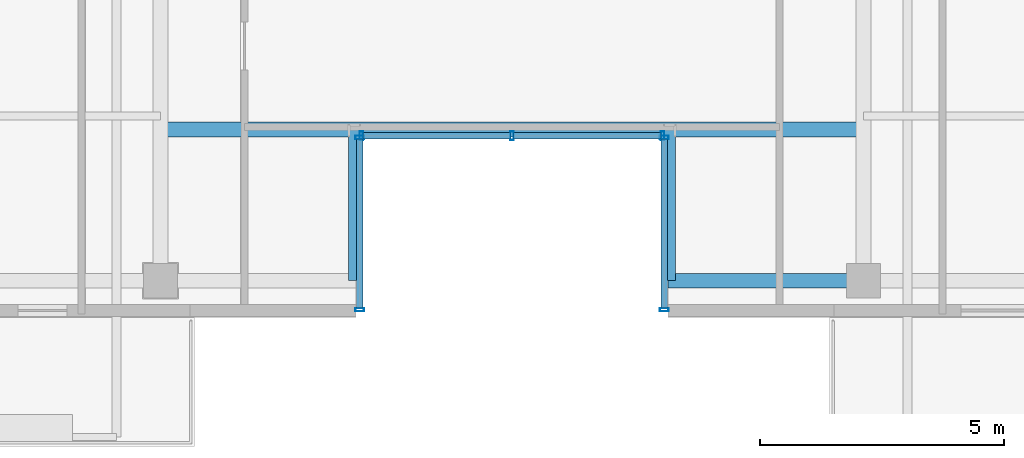
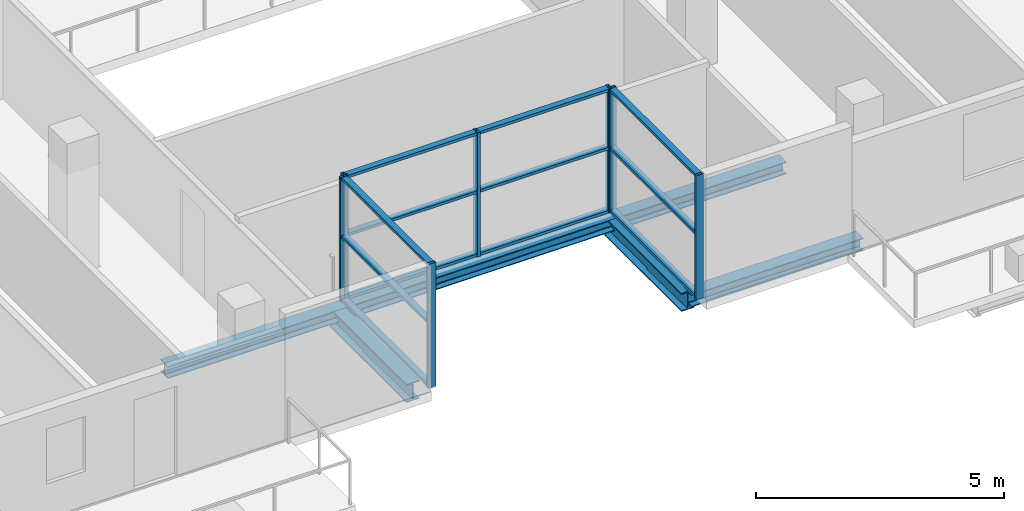
# One storey, part 5 of 22: 19 members, 4 beams, 3 elements without a shape of their own.
"""IFC4 building model written with IfcOpenShell, lengths in metres."""

from ifc_helpers import new_model, si_unit, direction, frame, origin, origin_2d, place, context, subcontext, project, spatial, hollow_rectangle, i_section, extrude, source, transform, mapped, material, layer, layer_set, material_profile, profile_set, type_object, element, aggregate, save


model = new_model("IFC4")

# Units and contexts
model_context = context("Model", 3, precision=1e-05, world=origin(), true_north=direction((0.0, 1.0)))
body_context = subcontext(model_context, "Body", "Model", "MODEL_VIEW")
ifc_project = project(units=[si_unit("LENGTHUNIT", "METRE"), si_unit("AREAUNIT", "SQUARE_METRE"), si_unit("VOLUMEUNIT", "CUBIC_METRE"), si_unit("PLANEANGLEUNIT", "RADIAN"), si_unit("MASSUNIT", "GRAM", prefix="KILO")], contexts=[model_context])

# Site, building, storey
site_placement = place(None, origin())
site = spatial("IfcSite", under=ifc_project, at=site_placement, CompositionType="ELEMENT")
building_placement = place(site_placement, origin())
building = spatial("IfcBuilding", under=site, at=building_placement, Name="Zarnakvel Exchange Tower", CompositionType="ELEMENT")
storey_placement = place(building_placement, frame((0.0, 0.0, 238.60009765625)))
storey = spatial("IfcBuildingStorey", under=building, at=storey_placement, Name="L67", CompositionType="ELEMENT", Elevation=238.60009765625)

# Beams
ifc_material_1 = material(Name="Steel S355", Category="steel")
ifc_material_profile_1 = material_profile(ifc_material_1, i_section(OverallWidth=0.300048828125, OverallDepth=0.449951171875, WebThickness=0.013916015625, FlangeThickness=0.02587890625, FilletRadius=0.027099609375, at=origin_2d()))
ifc_profile_set_1 = profile_set([ifc_material_profile_1], Name="Steel S355")
beam_type_1 = type_object("IfcBeamType", Name="G-07", PredefinedType="BEAM", material=ifc_profile_set_1)
for number, where, z_axis, x_axis, name in (
    (1, (-3.199951171875, -16.35009765625, -0.4501953125), (0.0, 1.0, 0.0), (-1.0, 0.0, 0.0), "L67 South Slot West Cheek Beam"),
    (2, (3.199951171875, -16.35009765625, -0.4501953125), (0.0, 1.0, 0.0), (-1.0, 0.0, 0.0), "L67 South Slot East Cheek Beam"),
):
    element("IfcBeam", number, at=place(storey_placement, frame(where, z_axis=z_axis, x_axis=x_axis)), inside=storey, type_object=beam_type_1, Name=name, PredefinedType="BEAM", context=body_context, shape_type="SweptSolid", body=[
        extrude(i_section(OverallWidth=0.300048828125, OverallDepth=0.449951171875, WebThickness=0.013916015625, FlangeThickness=0.02587890625, FilletRadius=0.027099609375, at=origin_2d()), origin(), (0.0, 0.0, 1.0), 3.10009765625),
    ])
ifc_material_profile_2 = material_profile(ifc_material_1, i_section(OverallWidth=0.300048828125, OverallDepth=0.300048828125, WebThickness=0.010986328125, FlangeThickness=0.01904296875, FilletRadius=0.027099609375, at=origin_2d()))
ifc_profile_set_2 = profile_set([ifc_material_profile_2], Name="Steel S355")
beam_type_2 = type_object("IfcBeamType", Name="SP-03", PredefinedType="SPANDREL", material=ifc_profile_set_2)
beam_1_placement = place(storey_placement, frame((3.199951171875, -16.35009765625, -0.375), z_axis=(1.0, 0.0, 0.0), x_axis=(0.0, 1.0, 0.0)))
element("IfcBeam", 3, at=beam_1_placement, inside=storey, type_object=beam_type_2, Name="L67 South Slot East Jamb Spandrel", PredefinedType="SPANDREL", context=body_context, shape_type="SweptSolid", body=[
    extrude(i_section(OverallWidth=0.300048828125, OverallDepth=0.300048828125, WebThickness=0.010986328125, FlangeThickness=0.01904296875, FilletRadius=0.027099609375, at=origin_2d()), origin(), (0.0, 0.0, 1.0), 4.0),
])
beam_2_placement = place(storey_placement, frame((-7.199951171875, -13.25, -0.375), z_axis=(1.0, 0.0, 0.0), x_axis=(0.0, 1.0, 0.0)))
element("IfcBeam", 4, at=beam_2_placement, inside=storey, type_object=beam_type_2, Name="L67 South Slot Head Trimmer Girder", PredefinedType="SPANDREL", context=body_context, shape_type="SweptSolid", body=[
    extrude(i_section(OverallWidth=0.300048828125, OverallDepth=0.300048828125, WebThickness=0.010986328125, FlangeThickness=0.01904296875, FilletRadius=0.027099609375, at=origin_2d()), origin(), (0.0, 0.0, 1.0), 14.39990234375),
])

# Curtain wall, members
ifc_material_2 = material(Name="Architectural Bronze Anodised Aluminium", Category="aluminium")
ifc_layer = layer(ifc_material_2, 0.179931640625)
ifc_layer_set = layer_set([ifc_layer], Name="Architectural Bronze Anodised Aluminium")
curtain_wall_type = type_object("IfcCurtainWallType", Name="CW-05", PredefinedType="NOTDEFINED", material=ifc_layer_set)
curtain_wall_1_placement = place(storey_placement, origin())
curtain_wall_1 = element("IfcCurtainWall", 5, at=curtain_wall_1_placement, inside=storey, type_object=curtain_wall_type, Name="L67 Curtain Wall CW-L67-SLW (CW-05)", PredefinedType="NOTDEFINED")
ifc_material_profile_3 = material_profile(ifc_material_2, hollow_rectangle(XDim=0.139892578125, YDim=0.070068359375, WallThickness=0.00390625, at=origin_2d()))
ifc_profile_set_3 = profile_set([ifc_material_profile_3], Name="Architectural Bronze Anodised Aluminium")
member_type_1 = type_object("IfcMemberType", Name="CWT-05", PredefinedType="USERDEFINED", material=ifc_profile_set_3)
shared_shape_1 = source(origin(), body_context, "Body", "SweptSolid", [
    extrude(hollow_rectangle(XDim=0.139892578125, YDim=0.070068359375, WallThickness=0.00390625, at=origin_2d()), origin(), (0.0, 0.0, 1.0), 3.4599609375),
])
member_1_placement = place(storey_placement, frame((-3.1201171875, -16.909912109375, 0.034912109375), z_axis=(0.0, 1.0, 0.0), x_axis=(-1.0, 0.0, 0.0)))
member_1 = element("IfcMember", 6, at=member_1_placement, type_object=member_type_1, Name="CW-05 transom 1.1", ObjectType="TRANSOM", PredefinedType="USERDEFINED", context=body_context, shape_type="MappedRepresentation", body=[
    mapped(shared_shape_1, transform((0.0, 0.0, 0.0), x_axis=(1.0, 0.0, 0.0), y_axis=(0.0, 1.0, 0.0), z_axis=(0.0, 0.0, 1.0), scale=1.0)),
])
member_2_placement = place(storey_placement, frame((-3.1201171875, -16.909912109375, 1.588623046875), z_axis=(0.0, 1.0, 0.0), x_axis=(-1.0, 0.0, 0.0)))
member_2 = element("IfcMember", 7, at=member_2_placement, type_object=member_type_1, Name="CW-05 transom 1.2", ObjectType="TRANSOM", PredefinedType="USERDEFINED", context=body_context, shape_type="MappedRepresentation", body=[
    mapped(shared_shape_1, transform((0.0, 0.0, 0.0), x_axis=(1.0, 0.0, 0.0), y_axis=(0.0, 1.0, 0.0), z_axis=(0.0, 0.0, 1.0), scale=1.0)),
])
member_3_placement = place(storey_placement, frame((-3.1201171875, -16.909912109375, 3.02001953125), z_axis=(0.0, 1.0, 0.0), x_axis=(-1.0, 0.0, 0.0)))
member_3 = element("IfcMember", 8, at=member_3_placement, type_object=member_type_1, Name="CW-05 transom 1.3", ObjectType="TRANSOM", PredefinedType="USERDEFINED", context=body_context, shape_type="MappedRepresentation", body=[
    mapped(shared_shape_1, transform((0.0, 0.0, 0.0), x_axis=(1.0, 0.0, 0.0), y_axis=(0.0, 1.0, 0.0), z_axis=(0.0, 0.0, 1.0), scale=1.0)),
])

curtain_wall_2_placement = place(storey_placement, origin())
curtain_wall_2 = element("IfcCurtainWall", 9, at=curtain_wall_2_placement, inside=storey, type_object=curtain_wall_type, Name="L67 Curtain Wall CW-L67-SLE (CW-05)", PredefinedType="NOTDEFINED")
member_4_placement = place(storey_placement, frame((3.1201171875, -13.449951171875, 0.034912109375), z_axis=(0.0, -1.0, 0.0), x_axis=(1.0, 0.0, 0.0)))
member_4 = element("IfcMember", 10, at=member_4_placement, type_object=member_type_1, Name="CW-05 transom 1.1", ObjectType="TRANSOM", PredefinedType="USERDEFINED", context=body_context, shape_type="MappedRepresentation", body=[
    mapped(shared_shape_1, transform((0.0, 0.0, 0.0), x_axis=(1.0, 0.0, 0.0), y_axis=(0.0, 1.0, 0.0), z_axis=(0.0, 0.0, 1.0), scale=1.0)),
])
member_5_placement = place(storey_placement, frame((3.1201171875, -13.449951171875, 1.588623046875), z_axis=(0.0, -1.0, 0.0), x_axis=(1.0, 0.0, 0.0)))
member_5 = element("IfcMember", 11, at=member_5_placement, type_object=member_type_1, Name="CW-05 transom 1.2", ObjectType="TRANSOM", PredefinedType="USERDEFINED", context=body_context, shape_type="MappedRepresentation", body=[
    mapped(shared_shape_1, transform((0.0, 0.0, 0.0), x_axis=(1.0, 0.0, 0.0), y_axis=(0.0, 1.0, 0.0), z_axis=(0.0, 0.0, 1.0), scale=1.0)),
])
member_6_placement = place(storey_placement, frame((3.1201171875, -13.449951171875, 3.02001953125), z_axis=(0.0, -1.0, 0.0), x_axis=(1.0, 0.0, 0.0)))
member_6 = element("IfcMember", 12, at=member_6_placement, type_object=member_type_1, Name="CW-05 transom 1.3", ObjectType="TRANSOM", PredefinedType="USERDEFINED", context=body_context, shape_type="MappedRepresentation", body=[
    mapped(shared_shape_1, transform((0.0, 0.0, 0.0), x_axis=(1.0, 0.0, 0.0), y_axis=(0.0, 1.0, 0.0), z_axis=(0.0, 0.0, 1.0), scale=1.0)),
])

curtain_wall_3_placement = place(storey_placement, origin())
curtain_wall_3 = element("IfcCurtainWall", 13, at=curtain_wall_3_placement, inside=storey, type_object=curtain_wall_type, Name="L67 Curtain Wall CW-L67-SLB (CW-05)", PredefinedType="NOTDEFINED")
shared_shape_2 = source(origin(), body_context, "Body", "SweptSolid", [
    extrude(hollow_rectangle(XDim=0.139892578125, YDim=0.070068359375, WallThickness=0.00390625, at=origin_2d()), origin(), (0.0, 0.0, 1.0), 3.01513671875),
])
member_7_placement = place(storey_placement, frame((-3.050048828125, -13.3798828125, 0.034912109375), z_axis=(1.0, 0.0, 0.0), x_axis=(0.0, 1.0, 0.0)))
member_7 = element("IfcMember", 14, at=member_7_placement, type_object=member_type_1, Name="CW-05 transom 1.1", ObjectType="TRANSOM", PredefinedType="USERDEFINED", context=body_context, shape_type="MappedRepresentation", body=[
    mapped(shared_shape_2, transform((0.0, 0.0, 0.0), x_axis=(1.0, 0.0, 0.0), y_axis=(0.0, 1.0, 0.0), z_axis=(0.0, 0.0, 1.0), scale=1.0)),
])
member_8_placement = place(storey_placement, frame((-3.050048828125, -13.3798828125, 1.588623046875), z_axis=(1.0, 0.0, 0.0), x_axis=(0.0, 1.0, 0.0)))
member_8 = element("IfcMember", 15, at=member_8_placement, type_object=member_type_1, Name="CW-05 transom 1.2", ObjectType="TRANSOM", PredefinedType="USERDEFINED", context=body_context, shape_type="MappedRepresentation", body=[
    mapped(shared_shape_2, transform((0.0, 0.0, 0.0), x_axis=(1.0, 0.0, 0.0), y_axis=(0.0, 1.0, 0.0), z_axis=(0.0, 0.0, 1.0), scale=1.0)),
])
member_9_placement = place(storey_placement, frame((-3.050048828125, -13.3798828125, 3.02001953125), z_axis=(1.0, 0.0, 0.0), x_axis=(0.0, 1.0, 0.0)))
member_9 = element("IfcMember", 16, at=member_9_placement, type_object=member_type_1, Name="CW-05 transom 1.3", ObjectType="TRANSOM", PredefinedType="USERDEFINED", context=body_context, shape_type="MappedRepresentation", body=[
    mapped(shared_shape_2, transform((0.0, 0.0, 0.0), x_axis=(1.0, 0.0, 0.0), y_axis=(0.0, 1.0, 0.0), z_axis=(0.0, 0.0, 1.0), scale=1.0)),
])
member_10_placement = place(storey_placement, frame((0.034912109375, -13.3798828125, 0.034912109375), z_axis=(1.0, 0.0, 0.0), x_axis=(0.0, 1.0, 0.0)))
member_10 = element("IfcMember", 17, at=member_10_placement, type_object=member_type_1, Name="CW-05 transom 2.1", ObjectType="TRANSOM", PredefinedType="USERDEFINED", context=body_context, shape_type="MappedRepresentation", body=[
    mapped(shared_shape_2, transform((0.0, 0.0, 0.0), x_axis=(1.0, 0.0, 0.0), y_axis=(0.0, 1.0, 0.0), z_axis=(0.0, 0.0, 1.0), scale=1.0)),
])
member_11_placement = place(storey_placement, frame((0.034912109375, -13.3798828125, 1.588623046875), z_axis=(1.0, 0.0, 0.0), x_axis=(0.0, 1.0, 0.0)))
member_11 = element("IfcMember", 18, at=member_11_placement, type_object=member_type_1, Name="CW-05 transom 2.2", ObjectType="TRANSOM", PredefinedType="USERDEFINED", context=body_context, shape_type="MappedRepresentation", body=[
    mapped(shared_shape_2, transform((0.0, 0.0, 0.0), x_axis=(1.0, 0.0, 0.0), y_axis=(0.0, 1.0, 0.0), z_axis=(0.0, 0.0, 1.0), scale=1.0)),
])
member_12_placement = place(storey_placement, frame((0.034912109375, -13.3798828125, 3.02001953125), z_axis=(1.0, 0.0, 0.0), x_axis=(0.0, 1.0, 0.0)))
member_12 = element("IfcMember", 19, at=member_12_placement, type_object=member_type_1, Name="CW-05 transom 2.3", ObjectType="TRANSOM", PredefinedType="USERDEFINED", context=body_context, shape_type="MappedRepresentation", body=[
    mapped(shared_shape_2, transform((0.0, 0.0, 0.0), x_axis=(1.0, 0.0, 0.0), y_axis=(0.0, 1.0, 0.0), z_axis=(0.0, 0.0, 1.0), scale=1.0)),
])

# Member
ifc_material_profile_4 = material_profile(ifc_material_2, hollow_rectangle(XDim=0.179931640625, YDim=0.070068359375, WallThickness=0.00390625, at=origin_2d()))
ifc_profile_set_4 = profile_set([ifc_material_profile_4], Name="Architectural Bronze Anodised Aluminium")
member_type_2 = type_object("IfcMemberType", Name="CWM-05", PredefinedType="MULLION", material=ifc_profile_set_4)
shared_shape_3 = source(origin(), body_context, "Body", "SweptSolid", [
    extrude(hollow_rectangle(XDim=0.179931640625, YDim=0.070068359375, WallThickness=0.00390625, at=origin_2d()), origin(), (0.0, 0.0, 1.0), 3.054931640625),
])
member_13_placement = place(storey_placement, frame((-3.1201171875, -16.945068359375, 0.0), z_axis=(0.0, 0.0, 1.0), x_axis=(-1.0, 0.0, 0.0)))
member_13 = element("IfcMember", 20, at=member_13_placement, type_object=member_type_2, Name="CW-05 mullion 1", PredefinedType="MULLION", context=body_context, shape_type="MappedRepresentation", body=[
    mapped(shared_shape_3, transform((0.0, 0.0, 0.0), x_axis=(1.0, 0.0, 0.0), y_axis=(0.0, 1.0, 0.0), z_axis=(0.0, 0.0, 1.0), scale=1.0)),
])

member_14_placement = place(storey_placement, frame((-3.1201171875, -13.4150390625, 0.0), z_axis=(0.0, 0.0, 1.0), x_axis=(-1.0, 0.0, 0.0)))
member_14 = element("IfcMember", 21, at=member_14_placement, type_object=member_type_2, Name="CW-05 mullion 2", PredefinedType="MULLION", context=body_context, shape_type="MappedRepresentation", body=[
    mapped(shared_shape_3, transform((0.0, 0.0, 0.0), x_axis=(1.0, 0.0, 0.0), y_axis=(0.0, 1.0, 0.0), z_axis=(0.0, 0.0, 1.0), scale=1.0)),
])

aggregate(curtain_wall_1, [member_13, member_14, member_1, member_2, member_3])

member_15_placement = place(storey_placement, frame((-3.0849609375, -13.3798828125, 0.0), z_axis=(0.0, 0.0, 1.0), x_axis=(0.0, 1.0, 0.0)))
member_15 = element("IfcMember", 22, at=member_15_placement, type_object=member_type_2, Name="CW-05 mullion 1", PredefinedType="MULLION", context=body_context, shape_type="MappedRepresentation", body=[
    mapped(shared_shape_3, transform((0.0, 0.0, 0.0), x_axis=(1.0, 0.0, 0.0), y_axis=(0.0, 1.0, 0.0), z_axis=(0.0, 0.0, 1.0), scale=1.0)),
])

member_16_placement = place(storey_placement, frame((0.0, -13.3798828125, 0.0), z_axis=(0.0, 0.0, 1.0), x_axis=(0.0, 1.0, 0.0)))
member_16 = element("IfcMember", 23, at=member_16_placement, type_object=member_type_2, Name="CW-05 mullion 2", PredefinedType="MULLION", context=body_context, shape_type="MappedRepresentation", body=[
    mapped(shared_shape_3, transform((0.0, 0.0, 0.0), x_axis=(1.0, 0.0, 0.0), y_axis=(0.0, 1.0, 0.0), z_axis=(0.0, 0.0, 1.0), scale=1.0)),
])

member_17_placement = place(storey_placement, frame((3.0849609375, -13.3798828125, 0.0), z_axis=(0.0, 0.0, 1.0), x_axis=(0.0, 1.0, 0.0)))
member_17 = element("IfcMember", 24, at=member_17_placement, type_object=member_type_2, Name="CW-05 mullion 3", PredefinedType="MULLION", context=body_context, shape_type="MappedRepresentation", body=[
    mapped(shared_shape_3, transform((0.0, 0.0, 0.0), x_axis=(1.0, 0.0, 0.0), y_axis=(0.0, 1.0, 0.0), z_axis=(0.0, 0.0, 1.0), scale=1.0)),
])

aggregate(curtain_wall_3, [member_15, member_16, member_17, member_7, member_8, member_9, member_10, member_11, member_12])

member_18_placement = place(storey_placement, frame((3.1201171875, -13.4150390625, 0.0), z_axis=(0.0, 0.0, 1.0), x_axis=(1.0, 0.0, 0.0)))
member_18 = element("IfcMember", 25, at=member_18_placement, type_object=member_type_2, Name="CW-05 mullion 1", PredefinedType="MULLION", context=body_context, shape_type="MappedRepresentation", body=[
    mapped(shared_shape_3, transform((0.0, 0.0, 0.0), x_axis=(1.0, 0.0, 0.0), y_axis=(0.0, 1.0, 0.0), z_axis=(0.0, 0.0, 1.0), scale=1.0)),
])

member_19_placement = place(storey_placement, frame((3.1201171875, -16.945068359375, 0.0), z_axis=(0.0, 0.0, 1.0), x_axis=(1.0, 0.0, 0.0)))
member_19 = element("IfcMember", 26, at=member_19_placement, type_object=member_type_2, Name="CW-05 mullion 2", PredefinedType="MULLION", context=body_context, shape_type="MappedRepresentation", body=[
    mapped(shared_shape_3, transform((0.0, 0.0, 0.0), x_axis=(1.0, 0.0, 0.0), y_axis=(0.0, 1.0, 0.0), z_axis=(0.0, 0.0, 1.0), scale=1.0)),
])

aggregate(curtain_wall_2, [member_18, member_19, member_4, member_5, member_6])

save(model, "model.ifc")
